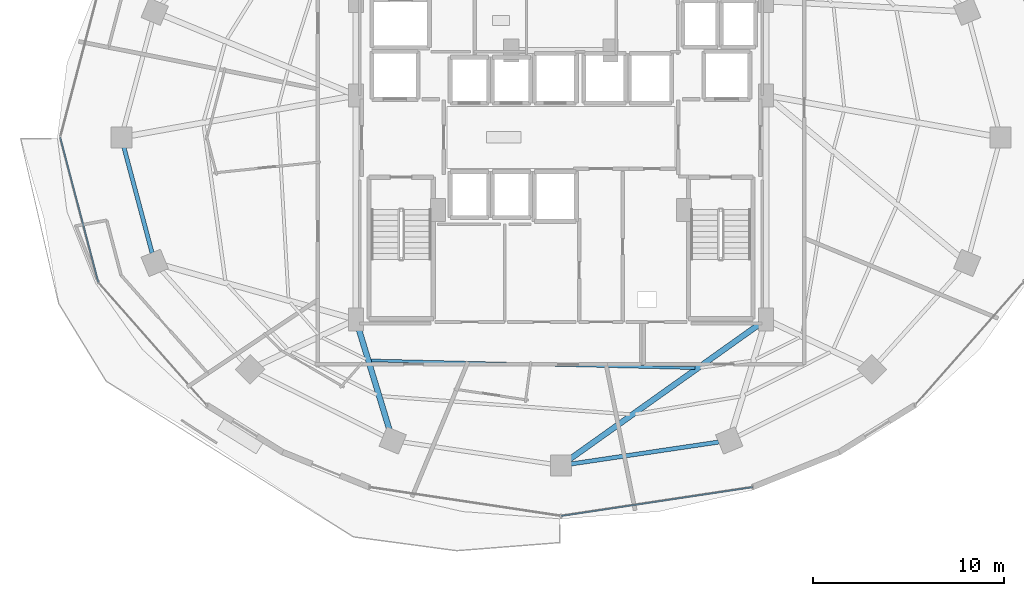
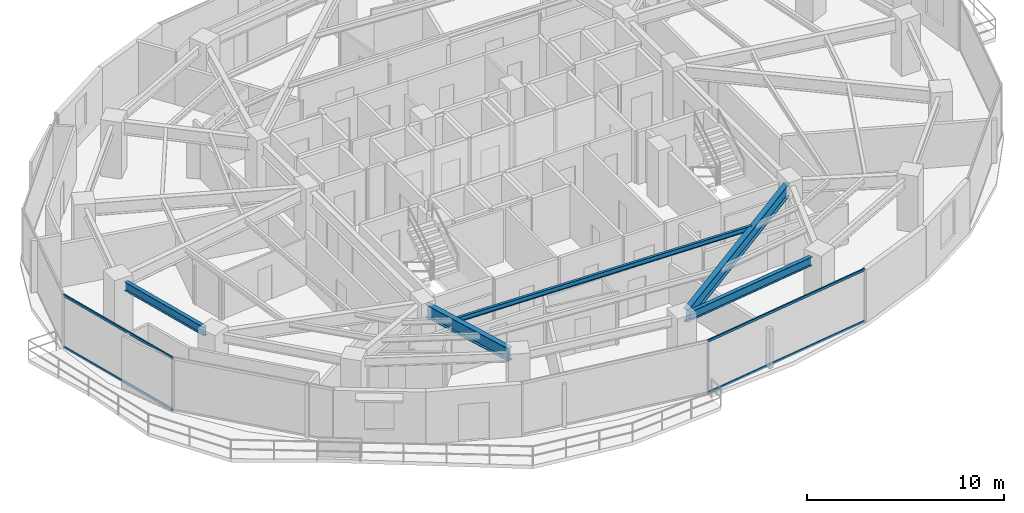
# One storey, part 6 of 29: 5 beams, 4 members, 2 elements without a shape of their own.
"""IFC4 building model written with IfcOpenShell, lengths in metres."""

from ifc_helpers import new_model, si_unit, direction, frame, origin, origin_2d, place, context, subcontext, project, spatial, hollow_rectangle, i_section, extrude, material, material_profile, profile_set, type_object, element, aggregate, save


model = new_model("IFC4")

# Units and contexts
model_context = context("Model", 3, precision=1e-05, world=origin(), true_north=direction((0.0, 1.0)))
body_context = subcontext(model_context, "Body", "Model", "MODEL_VIEW")
ifc_project = project(units=[si_unit("LENGTHUNIT", "METRE"), si_unit("AREAUNIT", "SQUARE_METRE"), si_unit("VOLUMEUNIT", "CUBIC_METRE"), si_unit("PLANEANGLEUNIT", "RADIAN"), si_unit("MASSUNIT", "GRAM", prefix="KILO")], contexts=[model_context])

# Site, building, storey
site_placement = place(None, origin())
site = spatial("IfcSite", under=ifc_project, at=site_placement, CompositionType="ELEMENT")
building_placement = place(site_placement, origin())
building = spatial("IfcBuilding", under=site, at=building_placement, Name="Vorneva Point Tower", CompositionType="ELEMENT")
storey_placement = place(building_placement, frame((0.0, 0.0, 85.800048828125)))
storey = spatial("IfcBuildingStorey", under=building, at=storey_placement, Name="L22", CompositionType="ELEMENT", Elevation=85.800048828125)

# Beams
ifc_material_1 = material(Name="Steel S355", Category="steel")
ifc_material_profile_1 = material_profile(ifc_material_1, i_section(OverallWidth=0.300048828125, OverallDepth=0.7880859375, WebThickness=0.014404296875, FlangeThickness=0.02197265625, at=origin_2d()), Name="80Sh1")
ifc_profile_set_1 = profile_set([ifc_material_profile_1], Name="Steel S355")
beam_type_1 = type_object("IfcBeamType", Name="BM-GRD-80Sh1", PredefinedType="USERDEFINED", material=ifc_profile_set_1)
beam_1_placement = place(storey_placement, frame((29.0224609375, 10.6240234375, 2.845947265625), z_axis=(-0.291034888253, 0.956712440506, 0.0), x_axis=(-0.956712440506, -0.291034888253, 0.0)))
element("IfcBeam", 1, at=beam_1_placement, inside=storey, type_object=beam_type_1, Name="L22 Radial Primary Girder 12", ObjectType="GIRDER", PredefinedType="USERDEFINED", context=body_context, shape_type="SweptSolid", body=[
    extrude(i_section(OverallWidth=0.300048828125, OverallDepth=0.7880859375, WebThickness=0.014404296875, FlangeThickness=0.02197265625, at=origin_2d()), origin(), (0.0, 0.0, 1.0), 5.74951171875),
])
beam_2_placement = place(storey_placement, frame((38.438232421875, 9.11181640625, 2.845947265625), z_axis=(0.814750142675, 0.5798122153, 0.0), x_axis=(-0.5798122153, 0.814750142675, 0.0)))
element("IfcBeam", 2, at=beam_2_placement, inside=storey, type_object=beam_type_1, Name="L22 Radial Primary Girder 13", ObjectType="GIRDER", PredefinedType="USERDEFINED", context=body_context, shape_type="SweptSolid", body=[
    extrude(i_section(OverallWidth=0.300048828125, OverallDepth=0.7880859375, WebThickness=0.014404296875, FlangeThickness=0.02197265625, at=origin_2d()), origin(), (0.0, 0.0, 1.0), 12.316162109375),
])
ifc_material_profile_2 = material_profile(ifc_material_1, i_section(OverallWidth=0.14892578125, OverallDepth=0.298095703125, WebThickness=0.005615234375, FlangeThickness=0.008056640625, at=origin_2d()), Name="30B1")
ifc_profile_set_2 = profile_set([ifc_material_profile_2], Name="Steel S355")
beam_type_2 = type_object("IfcBeamType", Name="BM-JST-30B1", PredefinedType="JOIST", material=ifc_profile_set_2)
beam_3_placement = place(storey_placement, frame((28.039306640625, 14.30615234375, 3.091064453125), z_axis=(0.999713718742, -0.023926565974, 0.0), x_axis=(0.023926565974, 0.999713718742, 0.0)))
element("IfcBeam", 3, at=beam_3_placement, inside=storey, type_object=beam_type_2, Name="L22 Secondary Floor Beam 2.12", PredefinedType="JOIST", context=body_context, shape_type="SweptSolid", body=[
    extrude(i_section(OverallWidth=0.14892578125, OverallDepth=0.298095703125, WebThickness=0.005615234375, FlangeThickness=0.008056640625, at=origin_2d()), origin(), (0.0, 0.0, 1.0), 16.9892578125),
])
ifc_material_profile_3 = material_profile(ifc_material_1, i_section(OverallWidth=0.219970703125, OverallDepth=0.54296875, WebThickness=0.009521484375, FlangeThickness=0.013427734375, at=origin_2d()), Name="55B1")
ifc_profile_set_3 = profile_set([ifc_material_profile_3], Name="Steel S355")
beam_type_3 = type_object("IfcBeamType", Name="BM-SPN-55B1", PredefinedType="SPANDREL", material=ifc_profile_set_3)
beam_4_placement = place(storey_placement, frame((15.087890625, 25.483154296875, 2.968505859375), z_axis=(0.257572674071, -0.966258928845, 0.0), x_axis=(0.966258928845, 0.257572674071, 0.0)))
element("IfcBeam", 4, at=beam_4_placement, inside=storey, type_object=beam_type_3, Name="L22 Perimeter Spandrel Ring Beam 09", PredefinedType="SPANDREL", context=body_context, shape_type="SweptSolid", body=[
    extrude(i_section(OverallWidth=0.219970703125, OverallDepth=0.54296875, WebThickness=0.009521484375, FlangeThickness=0.013427734375, at=origin_2d()), origin(), (0.0, 0.0, 1.0), 5.7421875),
])
beam_5_placement = place(storey_placement, frame((38.529296875, 8.878662109375, 2.968505859375), z_axis=(0.989164507783, 0.146811363806, 0.0), x_axis=(-0.146811363806, 0.989164507783, 0.0)))
element("IfcBeam", 5, at=beam_5_placement, inside=storey, type_object=beam_type_3, Name="L22 Perimeter Spandrel Ring Beam 13", PredefinedType="SPANDREL", context=body_context, shape_type="SweptSolid", body=[
    extrude(i_section(OverallWidth=0.219970703125, OverallDepth=0.54296875, WebThickness=0.009521484375, FlangeThickness=0.013427734375, at=origin_2d()), origin(), (0.0, 0.0, 1.0), 7.847412109375),
])

# Curtain wall, members
ifc_material_2 = material(Name="Pale anodised aluminium", Category="aluminium")
curtain_wall_type = type_object("IfcCurtainWallType", Name="CW-HTL-SYS", PredefinedType="NOTDEFINED", material=ifc_material_2)
curtain_wall_1_placement = place(storey_placement, origin())
curtain_wall_1 = element("IfcCurtainWall", 6, at=curtain_wall_1_placement, inside=storey, type_object=curtain_wall_type, Name="L22 Unitised Curtain Wall CW-L22-R02", PredefinedType="NOTDEFINED")
ifc_material_profile_4 = material_profile(ifc_material_2, hollow_rectangle(XDim=0.074951171875, YDim=0.14990234375, WallThickness=0.00390625, at=origin_2d()), Name="AL-TRN 150x75x4")
ifc_profile_set_4 = profile_set([ifc_material_profile_4], Name="Pale anodised aluminium")
member_type = type_object("IfcMemberType", Name="CW-TRN-150", PredefinedType="USERDEFINED", material=ifc_profile_set_4)
member_1_placement = place(storey_placement, frame((11.75, 26.0, 0.02001953125), z_axis=(0.254409150465, -0.967096677773, 0.0), x_axis=(0.967096677773, 0.254409150465, 0.0)))
member_1 = element("IfcMember", 7, at=member_1_placement, type_object=member_type, Name="CW-L22-R02 Transom 03.1", ObjectType="TRANSOM", PredefinedType="USERDEFINED", context=body_context, shape_type="SweptSolid", body=[
    extrude(hollow_rectangle(XDim=0.074951171875, YDim=0.14990234375, WallThickness=0.00390625, at=origin_2d()), origin(), (0.0, 0.0, 1.0), 7.854736328125),
])
member_2_placement = place(storey_placement, frame((11.75, 26.0, 3.219970703125), z_axis=(0.254409150465, -0.967096677773, 0.0), x_axis=(0.967096677773, 0.254409150465, 0.0)))
member_2 = element("IfcMember", 8, at=member_2_placement, type_object=member_type, Name="CW-L22-R02 Transom 03.2", ObjectType="TRANSOM", PredefinedType="USERDEFINED", context=body_context, shape_type="SweptSolid", body=[
    extrude(hollow_rectangle(XDim=0.074951171875, YDim=0.14990234375, WallThickness=0.00390625, at=origin_2d()), origin(), (0.0, 0.0, 1.0), 7.854736328125),
])
aggregate(curtain_wall_1, [member_1, member_2])

curtain_wall_2_placement = place(storey_placement, origin())
curtain_wall_2 = element("IfcCurtainWall", 9, at=curtain_wall_2_placement, inside=storey, type_object=curtain_wall_type, Name="L22 Unitised Curtain Wall CW-L22-R03", PredefinedType="NOTDEFINED")
member_3_placement = place(storey_placement, frame((38.0, 6.14990234375, 0.02001953125), z_axis=(0.988875982167, 0.148742367512, 0.0), x_axis=(-0.148742367512, 0.988875982167, 0.0)))
member_3 = element("IfcMember", 10, at=member_3_placement, type_object=member_type, Name="CW-L22-R03 Transom 02.1", ObjectType="TRANSOM", PredefinedType="USERDEFINED", context=body_context, shape_type="SweptSolid", body=[
    extrude(hollow_rectangle(XDim=0.074951171875, YDim=0.14990234375, WallThickness=0.00390625, at=origin_2d()), origin(), (0.0, 0.0, 1.0), 10.158447265625),
])
member_4_placement = place(storey_placement, frame((38.0, 6.14990234375, 3.219970703125), z_axis=(0.988875982167, 0.148742367512, 0.0), x_axis=(-0.148742367512, 0.988875982167, 0.0)))
member_4 = element("IfcMember", 11, at=member_4_placement, type_object=member_type, Name="CW-L22-R03 Transom 02.2", ObjectType="TRANSOM", PredefinedType="USERDEFINED", context=body_context, shape_type="SweptSolid", body=[
    extrude(hollow_rectangle(XDim=0.074951171875, YDim=0.14990234375, WallThickness=0.00390625, at=origin_2d()), origin(), (0.0, 0.0, 1.0), 10.158447265625),
])
aggregate(curtain_wall_2, [member_3, member_4])

save(model, "model.ifc")
